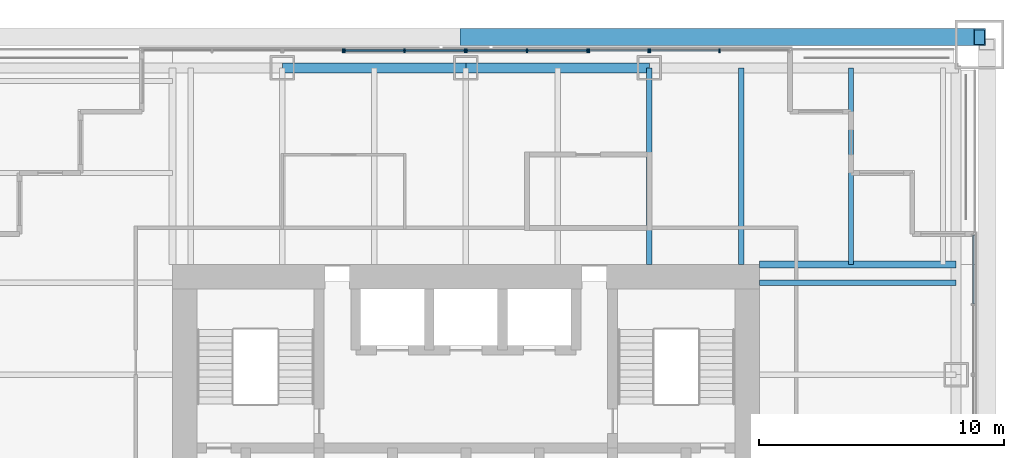
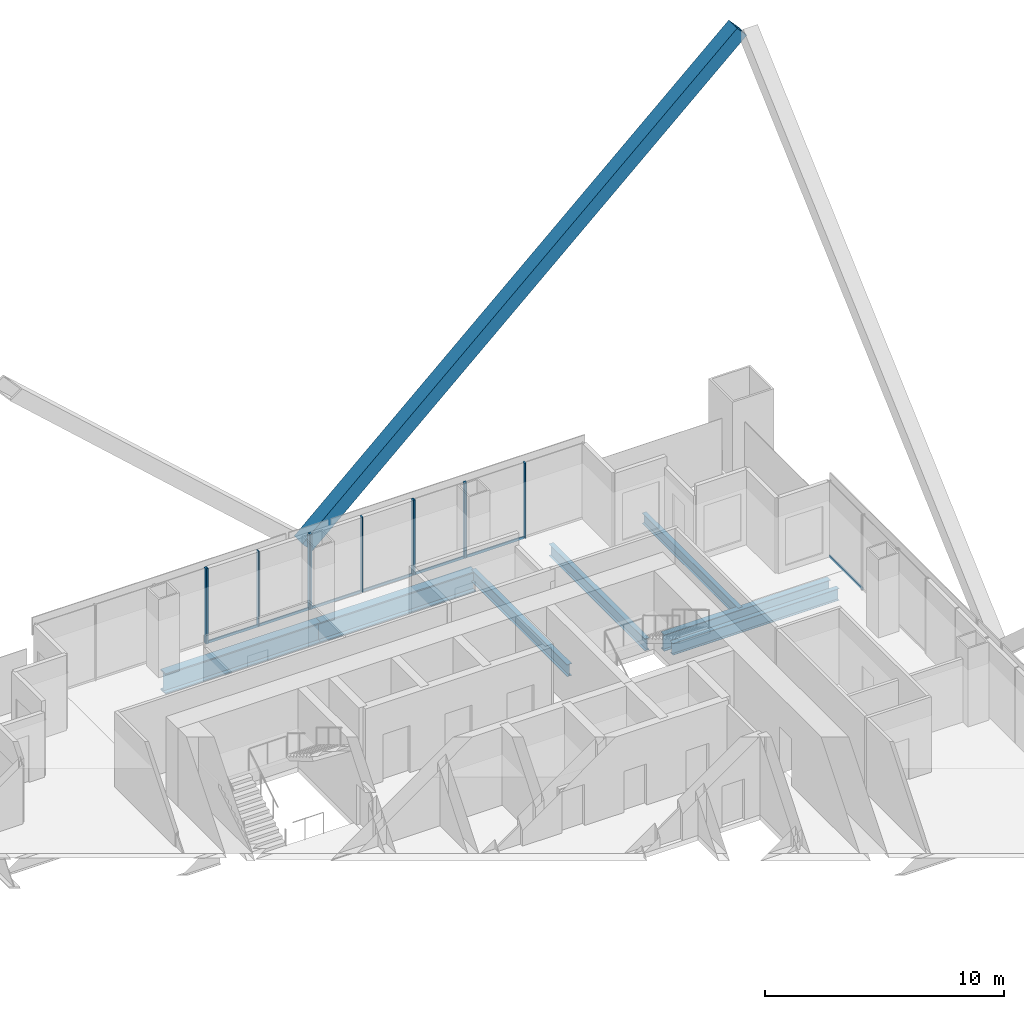
# One storey, part 11 of 19: 19 members, 7 beams, 6 elements without a shape of their own.
"""IFC4 building model written with IfcOpenShell, lengths in metres."""

from ifc_helpers import new_model, si_unit, direction, frame, origin, origin_2d, place, context, subcontext, project, spatial, rectangle, hollow_rectangle, i_section, extrude, material, material_profile, profile_set, type_object, element, aggregate, save


model = new_model("IFC4")

# Units and contexts
model_context = context("Model", 3, precision=1e-05, world=origin(), true_north=direction((0.0, 1.0)))
body_context = subcontext(model_context, "Body", "Model", "MODEL_VIEW")
ifc_project = project(units=[si_unit("LENGTHUNIT", "METRE"), si_unit("AREAUNIT", "SQUARE_METRE"), si_unit("VOLUMEUNIT", "CUBIC_METRE"), si_unit("PLANEANGLEUNIT", "RADIAN"), si_unit("MASSUNIT", "GRAM", prefix="KILO")], contexts=[model_context])

# Site, building, storey
site_placement = place(None, origin())
site = spatial("IfcSite", under=ifc_project, at=site_placement, CompositionType="ELEMENT")
building_placement = place(site_placement, origin())
building = spatial("IfcBuilding", under=site, at=building_placement, Name="Tarangal Relay Tower", CompositionType="ELEMENT")
storey_placement = place(building_placement, frame((0.0, 0.0, 275.89990234375)))
storey = spatial("IfcBuildingStorey", under=building, at=storey_placement, Name="L60", CompositionType="ELEMENT", Elevation=275.89990234375)

# Beams
ifc_material_1 = material(Name="Steel ASTM A992", Category="steel")
ifc_material_profile_1 = material_profile(ifc_material_1, i_section(OverallWidth=0.209228515625, OverallDepth=0.533447265625, WebThickness=0.01025390625, FlangeThickness=0.015625, at=origin_2d()), Name="W21X62")
ifc_profile_set_1 = profile_set([ifc_material_profile_1], Name="Steel ASTM A992")
beam_type_1 = type_object("IfcBeamType", Name="Corner beam W21X62", PredefinedType="JOIST", material=ifc_profile_set_1)
beam_1_placement = place(storey_placement, frame((15.75, 12.0, -0.41650390625), z_axis=(0.0, 1.0, 0.0), x_axis=(-1.0, 0.0, 0.0)))
element("IfcBeam", 1, at=beam_1_placement, inside=storey, type_object=beam_type_1, Name="Corner beam CB12 N L60", PredefinedType="JOIST", context=body_context, shape_type="SweptSolid", body=[
    extrude(i_section(OverallWidth=0.209228515625, OverallDepth=0.533447265625, WebThickness=0.01025390625, FlangeThickness=0.015625, at=origin_2d()), origin(), (0.0, 0.0, 1.0), 8.0400390625),
])
ifc_material_profile_2 = material_profile(ifc_material_1, i_section(OverallWidth=0.2919921875, OverallDepth=0.8408203125, WebThickness=0.0146484375, FlangeThickness=0.021728515625, at=origin_2d()), Name="W33X130")
ifc_profile_set_2 = profile_set([ifc_material_profile_2], Name="Steel ASTM A992")
beam_type_2 = type_object("IfcBeamType", Name="Corner girder W33X130", PredefinedType="BEAM", material=ifc_profile_set_2)
beam_2_placement = place(storey_placement, frame((12.0, 12.0, -0.5703125), z_axis=(1.0, 0.0, 0.0), x_axis=(0.0, 1.0, 0.0)))
element("IfcBeam", 2, at=beam_2_placement, inside=storey, type_object=beam_type_2, Name="Corner girder CG5 N L60", PredefinedType="BEAM", context=body_context, shape_type="SweptSolid", body=[
    extrude(i_section(OverallWidth=0.2919921875, OverallDepth=0.8408203125, WebThickness=0.0146484375, FlangeThickness=0.021728515625, at=origin_2d()), origin(), (0.0, 0.0, 1.0), 8.0400390625),
])
ifc_material_profile_3 = material_profile(ifc_material_1, i_section(OverallWidth=0.41162109375, OverallDepth=1.049072265625, WebThickness=0.033935546875, FlangeThickness=0.059814453125, at=origin_2d()), Name="W40X431")
ifc_profile_set_3 = profile_set([ifc_material_profile_3], Name="Steel ASTM A992")
beam_type_3 = type_object("IfcBeamType", Name="Edge girder W40X431", PredefinedType="SPANDREL", material=ifc_profile_set_3)
for number, where, z_axis, x_axis, name in (
    (3, (-7.5, 20.0400390625, -0.67431640625), (1.0, 0.0, 0.0), (0.0, 1.0, 0.0), "Edge girder EG1 N L60"),
    (4, (0.0, 20.0400390625, -0.67431640625), (1.0, 0.0, 0.0), (0.0, 1.0, 0.0), "Edge girder EG1 N L60"),
):
    element("IfcBeam", number, at=place(storey_placement, frame(where, z_axis=z_axis, x_axis=x_axis)), inside=storey, type_object=beam_type_3, Name=name, PredefinedType="SPANDREL", context=body_context, shape_type="SweptSolid", body=[
        extrude(i_section(OverallWidth=0.41162109375, OverallDepth=1.049072265625, WebThickness=0.033935546875, FlangeThickness=0.059814453125, at=origin_2d()), origin(), (0.0, 0.0, 1.0), 7.5),
    ])
ifc_material_profile_4 = material_profile(ifc_material_1, i_section(OverallWidth=0.228271484375, OverallDepth=0.607177734375, WebThickness=0.01123046875, FlangeThickness=0.017333984375, at=origin_2d()), Name="W24X76")
ifc_profile_set_4 = profile_set([ifc_material_profile_4], Name="Steel ASTM A992")
beam_type_4 = type_object("IfcBeamType", Name="Floor beam W24X76", PredefinedType="BEAM", material=ifc_profile_set_4)
for number, where, z_axis, x_axis, name in (
    (5, (7.5, 12.0, -0.453369140625), (0.0, 1.0, 0.0), (-1.0, 0.0, 0.0), "Floor beam RB5 N L60"),
    (6, (11.25, 12.0, -0.453369140625), (0.0, 1.0, 0.0), (-1.0, 0.0, 0.0), "Floor beam RB5 N L60"),
    (7, (12.0, 11.25, -0.453369140625), (1.0, 0.0, 0.0), (0.0, 1.0, 0.0), "Floor beam RB5 E L60"),
):
    element("IfcBeam", number, at=place(storey_placement, frame(where, z_axis=z_axis, x_axis=x_axis)), inside=storey, type_object=beam_type_4, Name=name, PredefinedType="BEAM", context=body_context, shape_type="SweptSolid", body=[
        extrude(i_section(OverallWidth=0.228271484375, OverallDepth=0.607177734375, WebThickness=0.01123046875, FlangeThickness=0.017333984375, at=origin_2d()), origin(), (0.0, 0.0, 1.0), 8.0400390625),
    ])

# Member
ifc_material_2 = material(Name="Steel ASTM A572 Grade 50", Category="steel")
ifc_material_profile_5 = material_profile(ifc_material_2, hollow_rectangle(XDim=0.699951171875, YDim=0.699951171875, WallThickness=0.052001953125, at=origin_2d()), Name="BOX700X700X52")
ifc_profile_set_5 = profile_set([ifc_material_profile_5], Name="Steel ASTM A572 Grade 50")
member_type_1 = type_object("IfcMemberType", Name="Mega brace BOX700X700X52", PredefinedType="BRACE", material=ifc_profile_set_5)
member_1_placement = place(storey_placement, frame((0.0, 21.300048828125, 3.0), z_axis=(0.741535779124, 0.0, 0.670913323969), x_axis=(0.0, 1.0, 0.0)))
element("IfcMember", 8, at=member_1_placement, inside=storey, type_object=member_type_1, Name="Mega brace MB4 N face module 1", PredefinedType="BRACE", context=body_context, shape_type="SweptSolid", body=[
    extrude(hollow_rectangle(XDim=0.699951171875, YDim=0.699951171875, WallThickness=0.052001953125, at=origin_2d()), origin(), (0.0, 0.0, 1.0), 28.319580078125),
])

# Curtain wall, member
ifc_material_3 = material(Name="Unitised curtain wall, dark glass and black aluminium", Category="aluminium")
curtain_wall_type_1 = type_object("IfcCurtainWallType", Name="Curtain wall CW-B", PredefinedType="USERDEFINED", material=ifc_material_3)
curtain_wall_1_placement = place(storey_placement, origin())
curtain_wall_1 = element("IfcCurtainWall", 9, at=curtain_wall_1_placement, inside=storey, type_object=curtain_wall_type_1, Name="Curtain wall CW-B N facade L60", ObjectType="UNITISED CURTAIN WALL", PredefinedType="USERDEFINED")
ifc_material_4 = material(Name="Black anodised aluminium mullion", Category="aluminium")
ifc_material_profile_6 = material_profile(ifc_material_4, rectangle(XDim=0.159912109375, YDim=0.06005859375, at=origin_2d()), Name="CW-BM 60X160")
ifc_profile_set_6 = profile_set([ifc_material_profile_6], Name="Black anodised aluminium mullion")
member_type_2 = type_object("IfcMemberType", Name="Mullion CW-B 60 x 160", PredefinedType="MULLION", material=ifc_profile_set_6)
member_2_placement = place(storey_placement, frame((-5.030029296875, 20.75, 0.0), z_axis=(0.0, 0.0, 1.0), x_axis=(0.0, 1.0, 0.0)))
member_2 = element("IfcMember", 10, at=member_2_placement, type_object=member_type_2, Name="CW-B mullion 2", PredefinedType="MULLION", context=body_context, shape_type="SweptSolid", body=[
    extrude(rectangle(XDim=0.159912109375, YDim=0.06005859375, at=origin_2d()), origin(), (0.0, 0.0, 1.0), 3.85009765625),
])
aggregate(curtain_wall_1, [member_2])

# Curtain wall, members
curtain_wall_2_placement = place(storey_placement, origin())
curtain_wall_2 = element("IfcCurtainWall", 11, at=curtain_wall_2_placement, inside=storey, type_object=curtain_wall_type_1, Name="Curtain wall CW-B N facade L60", ObjectType="UNITISED CURTAIN WALL", PredefinedType="USERDEFINED")
member_3_placement = place(storey_placement, frame((5.030029296875, 20.75, 0.0), z_axis=(0.0, 0.0, 1.0), x_axis=(0.0, 1.0, 0.0)))
member_3 = element("IfcMember", 12, at=member_3_placement, type_object=member_type_2, Name="CW-B mullion 1", PredefinedType="MULLION", context=body_context, shape_type="SweptSolid", body=[
    extrude(rectangle(XDim=0.159912109375, YDim=0.06005859375, at=origin_2d()), origin(), (0.0, 0.0, 1.0), 3.85009765625),
])
member_4_placement = place(storey_placement, frame((7.469970703125, 20.75, 0.0), z_axis=(0.0, 0.0, 1.0), x_axis=(0.0, 1.0, 0.0)))
member_4 = element("IfcMember", 13, at=member_4_placement, type_object=member_type_2, Name="CW-B mullion 2", PredefinedType="MULLION", context=body_context, shape_type="SweptSolid", body=[
    extrude(rectangle(XDim=0.159912109375, YDim=0.06005859375, at=origin_2d()), origin(), (0.0, 0.0, 1.0), 3.85009765625),
])

curtain_wall_3_placement = place(storey_placement, origin())
curtain_wall_3 = element("IfcCurtainWall", 14, at=curtain_wall_3_placement, inside=storey, type_object=curtain_wall_type_1, Name="Curtain wall CW-B N facade L60", ObjectType="UNITISED CURTAIN WALL", PredefinedType="USERDEFINED")
member_5_placement = place(storey_placement, frame((7.530029296875, 20.75, 0.0), z_axis=(0.0, 0.0, 1.0), x_axis=(0.0, 1.0, 0.0)))
member_5 = element("IfcMember", 15, at=member_5_placement, type_object=member_type_2, Name="CW-B mullion 1", PredefinedType="MULLION", context=body_context, shape_type="SweptSolid", body=[
    extrude(rectangle(XDim=0.159912109375, YDim=0.06005859375, at=origin_2d()), origin(), (0.0, 0.0, 1.0), 3.85009765625),
])
member_6_placement = place(storey_placement, frame((10.375, 20.75, 0.0), z_axis=(0.0, 0.0, 1.0), x_axis=(0.0, 1.0, 0.0)))
member_6 = element("IfcMember", 16, at=member_6_placement, type_object=member_type_2, Name="CW-B mullion 2", PredefinedType="MULLION", context=body_context, shape_type="SweptSolid", body=[
    extrude(rectangle(XDim=0.159912109375, YDim=0.06005859375, at=origin_2d()), origin(), (0.0, 0.0, 1.0), 3.85009765625),
])

ifc_material_5 = material(Name="Unitised curtain wall frame, black aluminium, with metal clad infill walls", Category="aluminium")
curtain_wall_type_2 = type_object("IfcCurtainWallType", Name="Curtain wall CW-BO", PredefinedType="USERDEFINED", material=ifc_material_5)
curtain_wall_4_placement = place(storey_placement, origin())
curtain_wall_4 = element("IfcCurtainWall", 17, at=curtain_wall_4_placement, inside=storey, type_object=curtain_wall_type_2, Name="Curtain wall CW-BO N facade L60", ObjectType="UNITISED CURTAIN WALL", PredefinedType="USERDEFINED")
ifc_material_profile_7 = material_profile(ifc_material_4, rectangle(XDim=0.159912109375, YDim=0.06005859375, at=origin_2d()), Name="CW-BOM 60X160")
ifc_profile_set_7 = profile_set([ifc_material_profile_7], Name="Black anodised aluminium mullion")
member_type_3 = type_object("IfcMemberType", Name="Mullion CW-BO 60 x 160", PredefinedType="MULLION", material=ifc_profile_set_7)
member_7_placement = place(storey_placement, frame((-4.969970703125, 20.75, 0.0), z_axis=(0.0, 0.0, 1.0), x_axis=(0.0, 1.0, 0.0)))
member_7 = element("IfcMember", 18, at=member_7_placement, type_object=member_type_3, Name="CW-BO mullion 1", PredefinedType="MULLION", context=body_context, shape_type="SweptSolid", body=[
    extrude(rectangle(XDim=0.159912109375, YDim=0.06005859375, at=origin_2d()), origin(), (0.0, 0.0, 1.0), 3.85009765625),
])
member_8_placement = place(storey_placement, frame((-2.5, 20.75, 0.0), z_axis=(0.0, 0.0, 1.0), x_axis=(0.0, 1.0, 0.0)))
member_8 = element("IfcMember", 19, at=member_8_placement, type_object=member_type_3, Name="CW-BO mullion 2", PredefinedType="MULLION", context=body_context, shape_type="SweptSolid", body=[
    extrude(rectangle(XDim=0.159912109375, YDim=0.06005859375, at=origin_2d()), origin(), (0.0, 0.0, 1.0), 3.85009765625),
])
member_9_placement = place(storey_placement, frame((-0.030029296875, 20.75, 0.0), z_axis=(0.0, 0.0, 1.0), x_axis=(0.0, 1.0, 0.0)))
member_9 = element("IfcMember", 20, at=member_9_placement, type_object=member_type_3, Name="CW-BO mullion 3", PredefinedType="MULLION", context=body_context, shape_type="SweptSolid", body=[
    extrude(rectangle(XDim=0.159912109375, YDim=0.06005859375, at=origin_2d()), origin(), (0.0, 0.0, 1.0), 3.85009765625),
])

curtain_wall_5_placement = place(storey_placement, origin())
curtain_wall_5 = element("IfcCurtainWall", 21, at=curtain_wall_5_placement, inside=storey, type_object=curtain_wall_type_2, Name="Curtain wall CW-BO N facade L60", ObjectType="UNITISED CURTAIN WALL", PredefinedType="USERDEFINED")
member_10_placement = place(storey_placement, frame((0.030029296875, 20.75, 0.0), z_axis=(0.0, 0.0, 1.0), x_axis=(0.0, 1.0, 0.0)))
member_10 = element("IfcMember", 22, at=member_10_placement, type_object=member_type_3, Name="CW-BO mullion 1", PredefinedType="MULLION", context=body_context, shape_type="SweptSolid", body=[
    extrude(rectangle(XDim=0.159912109375, YDim=0.06005859375, at=origin_2d()), origin(), (0.0, 0.0, 1.0), 3.85009765625),
])
member_11_placement = place(storey_placement, frame((2.5, 20.75, 0.0), z_axis=(0.0, 0.0, 1.0), x_axis=(0.0, 1.0, 0.0)))
member_11 = element("IfcMember", 23, at=member_11_placement, type_object=member_type_3, Name="CW-BO mullion 2", PredefinedType="MULLION", context=body_context, shape_type="SweptSolid", body=[
    extrude(rectangle(XDim=0.159912109375, YDim=0.06005859375, at=origin_2d()), origin(), (0.0, 0.0, 1.0), 3.85009765625),
])
member_12_placement = place(storey_placement, frame((4.969970703125, 20.75, 0.0), z_axis=(0.0, 0.0, 1.0), x_axis=(0.0, 1.0, 0.0)))
member_12 = element("IfcMember", 24, at=member_12_placement, type_object=member_type_3, Name="CW-BO mullion 3", PredefinedType="MULLION", context=body_context, shape_type="SweptSolid", body=[
    extrude(rectangle(XDim=0.159912109375, YDim=0.06005859375, at=origin_2d()), origin(), (0.0, 0.0, 1.0), 3.85009765625),
])

# Member
ifc_material_6 = material(Name="Black anodised aluminium transom", Category="aluminium")
ifc_material_profile_8 = material_profile(ifc_material_6, rectangle(XDim=0.06005859375, YDim=0.1298828125, at=origin_2d()), Name="CW-BT 60X130")
ifc_profile_set_8 = profile_set([ifc_material_profile_8], Name="Black anodised aluminium transom")
member_type_4 = type_object("IfcMemberType", Name="Transom CW-B 60 x 130", PredefinedType="USERDEFINED", material=ifc_profile_set_8)
member_13_placement = place(storey_placement, frame((5.06005859375, 20.75, 0.030029296875), z_axis=(1.0, 0.0, 0.0), x_axis=(0.0, 1.0, 0.0)))
member_13 = element("IfcMember", 25, at=member_13_placement, type_object=member_type_4, Name="CW-B transom 1.1", ObjectType="TRANSOM", PredefinedType="USERDEFINED", context=body_context, shape_type="SweptSolid", body=[
    extrude(rectangle(XDim=0.06005859375, YDim=0.1298828125, at=origin_2d()), origin(), (0.0, 0.0, 1.0), 2.3798828125),
])

aggregate(curtain_wall_2, [member_3, member_4, member_13])

member_14_placement = place(storey_placement, frame((7.56005859375, 20.75, 0.030029296875), z_axis=(1.0, 0.0, 0.0), x_axis=(0.0, 1.0, 0.0)))
member_14 = element("IfcMember", 26, at=member_14_placement, type_object=member_type_4, Name="CW-B transom 1.1", ObjectType="TRANSOM", PredefinedType="USERDEFINED", context=body_context, shape_type="SweptSolid", body=[
    extrude(rectangle(XDim=0.06005859375, YDim=0.1298828125, at=origin_2d()), origin(), (0.0, 0.0, 1.0), 2.784912109375),
])

aggregate(curtain_wall_3, [member_5, member_6, member_14])

# Curtain wall, member
curtain_wall_6_placement = place(storey_placement, origin())
curtain_wall_6 = element("IfcCurtainWall", 27, at=curtain_wall_6_placement, inside=storey, type_object=curtain_wall_type_1, Name="Curtain wall CW-B E facade L60", ObjectType="UNITISED CURTAIN WALL", PredefinedType="USERDEFINED")
member_15_placement = place(storey_placement, frame((20.75, 13.18994140625, 0.030029296875), z_axis=(0.0, -1.0, 0.0), x_axis=(1.0, 0.0, 0.0)))
member_15 = element("IfcMember", 28, at=member_15_placement, type_object=member_type_4, Name="CW-B transom 1.1", ObjectType="TRANSOM", PredefinedType="USERDEFINED", context=body_context, shape_type="SweptSolid", body=[
    extrude(rectangle(XDim=0.06005859375, YDim=0.1298828125, at=origin_2d()), origin(), (0.0, 0.0, 1.0), 2.784912109375),
])
aggregate(curtain_wall_6, [member_15])

# Member
ifc_material_profile_9 = material_profile(ifc_material_6, rectangle(XDim=0.06005859375, YDim=0.1298828125, at=origin_2d()), Name="CW-BOT 60X130")
ifc_profile_set_9 = profile_set([ifc_material_profile_9], Name="Black anodised aluminium transom")
member_type_5 = type_object("IfcMemberType", Name="Transom CW-BO 60 x 130", PredefinedType="USERDEFINED", material=ifc_profile_set_9)
member_16_placement = place(storey_placement, frame((-4.93994140625, 20.75, 0.030029296875), z_axis=(1.0, 0.0, 0.0), x_axis=(0.0, 1.0, 0.0)))
member_16 = element("IfcMember", 29, at=member_16_placement, type_object=member_type_5, Name="CW-BO transom 1.1", ObjectType="TRANSOM", PredefinedType="USERDEFINED", context=body_context, shape_type="SweptSolid", body=[
    extrude(rectangle(XDim=0.06005859375, YDim=0.1298828125, at=origin_2d()), origin(), (0.0, 0.0, 1.0), 2.409912109375),
])

member_17_placement = place(storey_placement, frame((-2.469970703125, 20.75, 0.030029296875), z_axis=(1.0, 0.0, 0.0), x_axis=(0.0, 1.0, 0.0)))
member_17 = element("IfcMember", 30, at=member_17_placement, type_object=member_type_5, Name="CW-BO transom 2.1", ObjectType="TRANSOM", PredefinedType="USERDEFINED", context=body_context, shape_type="SweptSolid", body=[
    extrude(rectangle(XDim=0.06005859375, YDim=0.1298828125, at=origin_2d()), origin(), (0.0, 0.0, 1.0), 2.409912109375),
])

aggregate(curtain_wall_4, [member_7, member_8, member_9, member_16, member_17])

member_18_placement = place(storey_placement, frame((0.06005859375, 20.75, 0.030029296875), z_axis=(1.0, 0.0, 0.0), x_axis=(0.0, 1.0, 0.0)))
member_18 = element("IfcMember", 31, at=member_18_placement, type_object=member_type_5, Name="CW-BO transom 1.1", ObjectType="TRANSOM", PredefinedType="USERDEFINED", context=body_context, shape_type="SweptSolid", body=[
    extrude(rectangle(XDim=0.06005859375, YDim=0.1298828125, at=origin_2d()), origin(), (0.0, 0.0, 1.0), 2.409912109375),
])

member_19_placement = place(storey_placement, frame((2.530029296875, 20.75, 0.030029296875), z_axis=(1.0, 0.0, 0.0), x_axis=(0.0, 1.0, 0.0)))
member_19 = element("IfcMember", 32, at=member_19_placement, type_object=member_type_5, Name="CW-BO transom 2.1", ObjectType="TRANSOM", PredefinedType="USERDEFINED", context=body_context, shape_type="SweptSolid", body=[
    extrude(rectangle(XDim=0.06005859375, YDim=0.1298828125, at=origin_2d()), origin(), (0.0, 0.0, 1.0), 2.409912109375),
])

aggregate(curtain_wall_5, [member_10, member_11, member_12, member_18, member_19])

save(model, "model.ifc")
